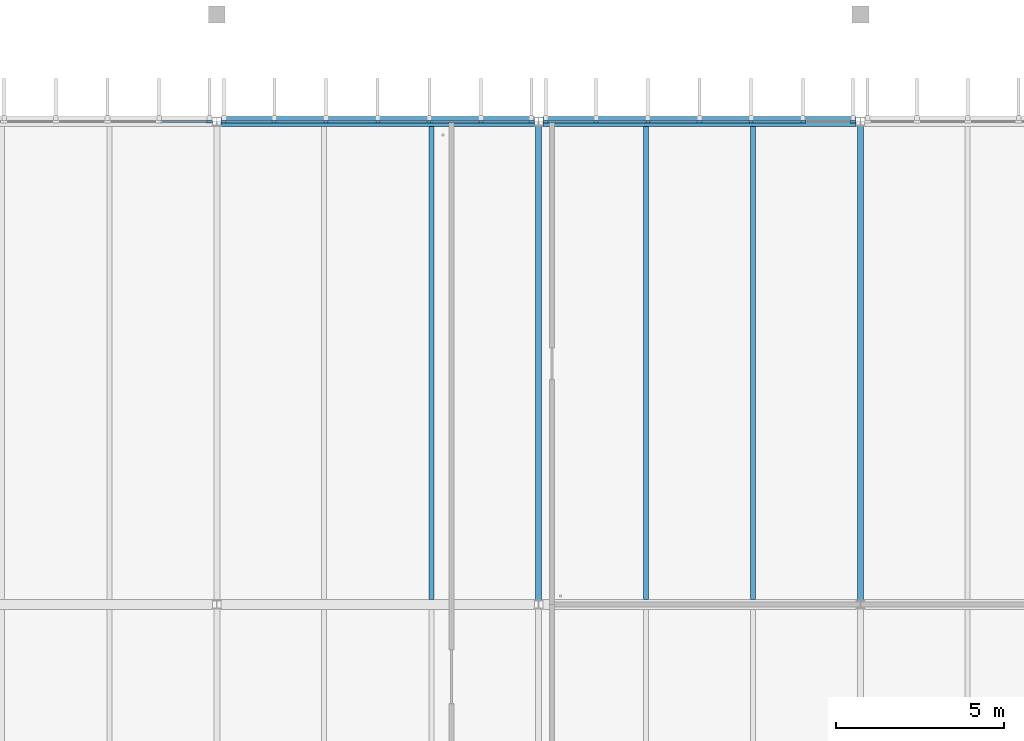
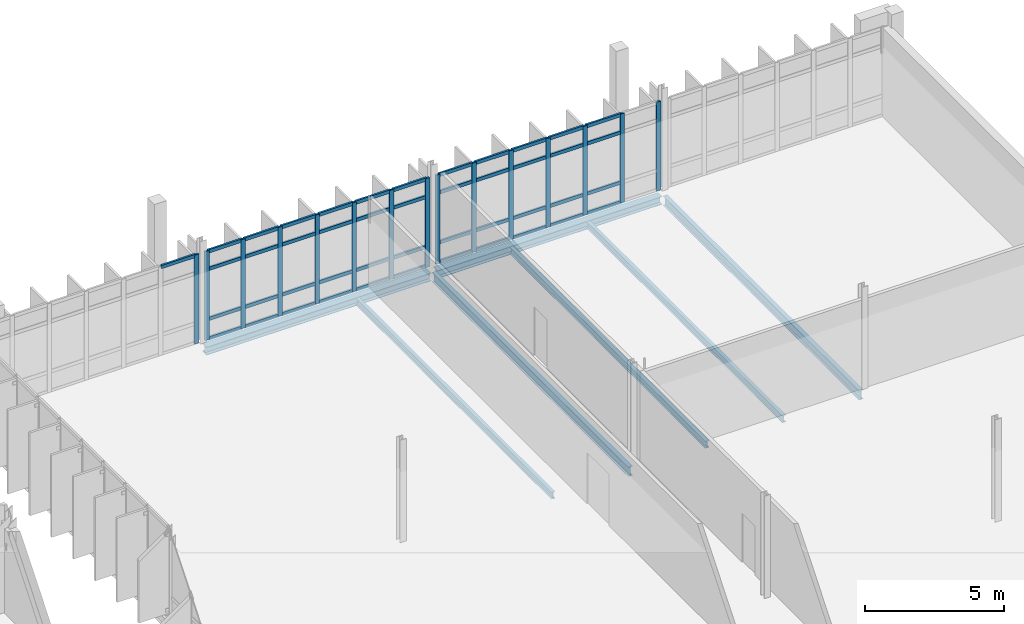
# One storey, part 44 of 107: 60 members, 7 beams, 3 elements without a shape of their own.
"""IFC4 building model written with IfcOpenShell, lengths in metres."""

from ifc_helpers import new_model, si_unit, direction, frame, origin, origin_2d, place, context, subcontext, project, spatial, rectangle, i_section, extrude, material, material_profile, profile_set, type_object, element, aggregate, save


model = new_model("IFC4")

# Units and contexts
model_context = context("Model", 3, precision=1e-05, world=origin(), true_north=direction((0.0, 1.0)))
body_context = subcontext(model_context, "Body", "Model", "MODEL_VIEW")
ifc_project = project(units=[si_unit("LENGTHUNIT", "METRE"), si_unit("AREAUNIT", "SQUARE_METRE"), si_unit("VOLUMEUNIT", "CUBIC_METRE"), si_unit("PLANEANGLEUNIT", "RADIAN"), si_unit("MASSUNIT", "GRAM", prefix="KILO")], contexts=[model_context])

# Site, building, storey
site_placement = place(None, origin())
site = spatial("IfcSite", under=ifc_project, at=site_placement, CompositionType="ELEMENT")
building_placement = place(site_placement, origin())
building = spatial("IfcBuilding", under=site, at=building_placement, Name="Dunescarp Central Library", CompositionType="ELEMENT")
storey_placement = place(building_placement, frame((0.0, 0.0, 5.10009765625)))
storey = spatial("IfcBuildingStorey", under=building, at=storey_placement, Name="L01", CompositionType="ELEMENT", Elevation=5.10009765625)

# Curtain wall, member
ifc_material_1 = material(Name="Marine-grade anodised aluminium 6063-T6", Category="aluminium")
curtain_wall_type = type_object("IfcCurtainWallType", Name="ARC-CW-STICK", PredefinedType="NOTDEFINED", material=ifc_material_1)
curtain_wall_1_placement = place(storey_placement, origin())
curtain_wall_1 = element("IfcCurtainWall", 1, at=curtain_wall_1_placement, inside=storey, type_object=curtain_wall_type, Name="L01 curtain wall CW-V5-157", PredefinedType="NOTDEFINED")
ifc_material_profile_1 = material_profile(ifc_material_1, rectangle(XDim=0.080078125, YDim=0.179931640625, at=origin_2d()), Name="AL 80x180")
ifc_profile_set_1 = profile_set([ifc_material_profile_1], Name="Marine-grade anodised aluminium 6063-T6")
member_type_1 = type_object("IfcMemberType", Name="ARC-CWM-180", PredefinedType="MULLION", material=ifc_profile_set_1)
member_1_placement = place(storey_placement, frame((138.985107421875, 44.800048828125, 0.0), z_axis=(0.0, 0.0, 1.0), x_axis=(0.0, 1.0, 0.0)))
member_1 = element("IfcMember", 2, at=member_1_placement, type_object=member_type_1, Name="CW-V5-157 mullion 7", PredefinedType="MULLION", context=body_context, shape_type="SweptSolid", body=[
    extrude(rectangle(XDim=0.080078125, YDim=0.179931640625, at=origin_2d()), origin(), (0.0, 0.0, 1.0), 3.909912109375),
])

# Curtain wall, members
curtain_wall_2_placement = place(storey_placement, origin())
curtain_wall_2 = element("IfcCurtainWall", 3, at=curtain_wall_2_placement, inside=storey, type_object=curtain_wall_type, Name="L01 curtain wall CW-V5-158", PredefinedType="NOTDEFINED")
member_2_placement = place(storey_placement, frame((139.4150390625, 44.800048828125, 0.0), z_axis=(0.0, 0.0, 1.0), x_axis=(0.0, 1.0, 0.0)))
member_2 = element("IfcMember", 4, at=member_2_placement, type_object=member_type_1, Name="CW-V5-158 mullion 1", PredefinedType="MULLION", context=body_context, shape_type="SweptSolid", body=[
    extrude(rectangle(XDim=0.080078125, YDim=0.179931640625, at=origin_2d()), origin(), (0.0, 0.0, 1.0), 3.909912109375),
])
member_3_placement = place(storey_placement, frame((140.916748046875, 44.800048828125, 0.0), z_axis=(0.0, 0.0, 1.0), x_axis=(0.0, 1.0, 0.0)))
member_3 = element("IfcMember", 5, at=member_3_placement, type_object=member_type_1, Name="CW-V5-158 mullion 2", PredefinedType="MULLION", context=body_context, shape_type="SweptSolid", body=[
    extrude(rectangle(XDim=0.080078125, YDim=0.179931640625, at=origin_2d()), origin(), (0.0, 0.0, 1.0), 3.909912109375),
])
member_4_placement = place(storey_placement, frame((142.458251953125, 44.800048828125, 0.0), z_axis=(0.0, 0.0, 1.0), x_axis=(0.0, 1.0, 0.0)))
member_4 = element("IfcMember", 6, at=member_4_placement, type_object=member_type_1, Name="CW-V5-158 mullion 3", PredefinedType="MULLION", context=body_context, shape_type="SweptSolid", body=[
    extrude(rectangle(XDim=0.080078125, YDim=0.179931640625, at=origin_2d()), origin(), (0.0, 0.0, 1.0), 3.909912109375),
])
member_5_placement = place(storey_placement, frame((144.0, 44.800048828125, 0.0), z_axis=(0.0, 0.0, 1.0), x_axis=(0.0, 1.0, 0.0)))
member_5 = element("IfcMember", 7, at=member_5_placement, type_object=member_type_1, Name="CW-V5-158 mullion 4", PredefinedType="MULLION", context=body_context, shape_type="SweptSolid", body=[
    extrude(rectangle(XDim=0.080078125, YDim=0.179931640625, at=origin_2d()), origin(), (0.0, 0.0, 1.0), 3.909912109375),
])
member_6_placement = place(storey_placement, frame((145.541748046875, 44.800048828125, 0.0), z_axis=(0.0, 0.0, 1.0), x_axis=(0.0, 1.0, 0.0)))
member_6 = element("IfcMember", 8, at=member_6_placement, type_object=member_type_1, Name="CW-V5-158 mullion 5", PredefinedType="MULLION", context=body_context, shape_type="SweptSolid", body=[
    extrude(rectangle(XDim=0.080078125, YDim=0.179931640625, at=origin_2d()), origin(), (0.0, 0.0, 1.0), 3.909912109375),
])
member_7_placement = place(storey_placement, frame((147.083251953125, 44.800048828125, 0.0), z_axis=(0.0, 0.0, 1.0), x_axis=(0.0, 1.0, 0.0)))
member_7 = element("IfcMember", 9, at=member_7_placement, type_object=member_type_1, Name="CW-V5-158 mullion 6", PredefinedType="MULLION", context=body_context, shape_type="SweptSolid", body=[
    extrude(rectangle(XDim=0.080078125, YDim=0.179931640625, at=origin_2d()), origin(), (0.0, 0.0, 1.0), 3.909912109375),
])
member_8_placement = place(storey_placement, frame((148.5849609375, 44.800048828125, 0.0), z_axis=(0.0, 0.0, 1.0), x_axis=(0.0, 1.0, 0.0)))
member_8 = element("IfcMember", 10, at=member_8_placement, type_object=member_type_1, Name="CW-V5-158 mullion 7", PredefinedType="MULLION", context=body_context, shape_type="SweptSolid", body=[
    extrude(rectangle(XDim=0.080078125, YDim=0.179931640625, at=origin_2d()), origin(), (0.0, 0.0, 1.0), 3.909912109375),
])

curtain_wall_3_placement = place(storey_placement, origin())
curtain_wall_3 = element("IfcCurtainWall", 11, at=curtain_wall_3_placement, inside=storey, type_object=curtain_wall_type, Name="L01 curtain wall CW-V5-159", PredefinedType="NOTDEFINED")
member_9_placement = place(storey_placement, frame((149.014892578125, 44.800048828125, 0.0), z_axis=(0.0, 0.0, 1.0), x_axis=(0.0, 1.0, 0.0)))
member_9 = element("IfcMember", 12, at=member_9_placement, type_object=member_type_1, Name="CW-V5-159 mullion 1", PredefinedType="MULLION", context=body_context, shape_type="SweptSolid", body=[
    extrude(rectangle(XDim=0.080078125, YDim=0.179931640625, at=origin_2d()), origin(), (0.0, 0.0, 1.0), 3.909912109375),
])
member_10_placement = place(storey_placement, frame((150.5166015625, 44.800048828125, 0.0), z_axis=(0.0, 0.0, 1.0), x_axis=(0.0, 1.0, 0.0)))
member_10 = element("IfcMember", 13, at=member_10_placement, type_object=member_type_1, Name="CW-V5-159 mullion 2", PredefinedType="MULLION", context=body_context, shape_type="SweptSolid", body=[
    extrude(rectangle(XDim=0.080078125, YDim=0.179931640625, at=origin_2d()), origin(), (0.0, 0.0, 1.0), 3.909912109375),
])
member_11_placement = place(storey_placement, frame((152.058349609375, 44.800048828125, 0.0), z_axis=(0.0, 0.0, 1.0), x_axis=(0.0, 1.0, 0.0)))
member_11 = element("IfcMember", 14, at=member_11_placement, type_object=member_type_1, Name="CW-V5-159 mullion 3", PredefinedType="MULLION", context=body_context, shape_type="SweptSolid", body=[
    extrude(rectangle(XDim=0.080078125, YDim=0.179931640625, at=origin_2d()), origin(), (0.0, 0.0, 1.0), 3.909912109375),
])
member_12_placement = place(storey_placement, frame((153.60009765625, 44.800048828125, 0.0), z_axis=(0.0, 0.0, 1.0), x_axis=(0.0, 1.0, 0.0)))
member_12 = element("IfcMember", 15, at=member_12_placement, type_object=member_type_1, Name="CW-V5-159 mullion 4", PredefinedType="MULLION", context=body_context, shape_type="SweptSolid", body=[
    extrude(rectangle(XDim=0.080078125, YDim=0.179931640625, at=origin_2d()), origin(), (0.0, 0.0, 1.0), 3.909912109375),
])
member_13_placement = place(storey_placement, frame((155.1416015625, 44.800048828125, 0.0), z_axis=(0.0, 0.0, 1.0), x_axis=(0.0, 1.0, 0.0)))
member_13 = element("IfcMember", 16, at=member_13_placement, type_object=member_type_1, Name="CW-V5-159 mullion 5", PredefinedType="MULLION", context=body_context, shape_type="SweptSolid", body=[
    extrude(rectangle(XDim=0.080078125, YDim=0.179931640625, at=origin_2d()), origin(), (0.0, 0.0, 1.0), 3.909912109375),
])
member_14_placement = place(storey_placement, frame((156.683349609375, 44.800048828125, 0.0), z_axis=(0.0, 0.0, 1.0), x_axis=(0.0, 1.0, 0.0)))
member_14 = element("IfcMember", 17, at=member_14_placement, type_object=member_type_1, Name="CW-V5-159 mullion 6", PredefinedType="MULLION", context=body_context, shape_type="SweptSolid", body=[
    extrude(rectangle(XDim=0.080078125, YDim=0.179931640625, at=origin_2d()), origin(), (0.0, 0.0, 1.0), 3.909912109375),
])
member_15_placement = place(storey_placement, frame((158.18505859375, 44.800048828125, 0.0), z_axis=(0.0, 0.0, 1.0), x_axis=(0.0, 1.0, 0.0)))
member_15 = element("IfcMember", 18, at=member_15_placement, type_object=member_type_1, Name="CW-V5-159 mullion 7", PredefinedType="MULLION", context=body_context, shape_type="SweptSolid", body=[
    extrude(rectangle(XDim=0.080078125, YDim=0.179931640625, at=origin_2d()), origin(), (0.0, 0.0, 1.0), 3.909912109375),
])

# Member
ifc_material_profile_2 = material_profile(ifc_material_1, rectangle(XDim=0.080078125, YDim=0.14990234375, at=origin_2d()), Name="AL 80x150")
ifc_profile_set_2 = profile_set([ifc_material_profile_2], Name="Marine-grade anodised aluminium 6063-T6")
member_type_2 = type_object("IfcMemberType", Name="ARC-CWT-150", PredefinedType="USERDEFINED", material=ifc_profile_set_2)
member_16_placement = place(storey_placement, frame((137.5234375, 44.800048828125, 3.869873046875), z_axis=(1.0, 0.0, 0.0), x_axis=(0.0, 1.0, 0.0)))
member_16 = element("IfcMember", 19, at=member_16_placement, type_object=member_type_2, Name="CW-V5-157 transom 6.4", ObjectType="TRANSOM", PredefinedType="USERDEFINED", context=body_context, shape_type="SweptSolid", body=[
    extrude(rectangle(XDim=0.080078125, YDim=0.14990234375, at=origin_2d()), origin(), (0.0, 0.0, 1.0), 1.421630859375),
])

aggregate(curtain_wall_1, [member_1, member_16])

member_17_placement = place(storey_placement, frame((139.455078125, 44.800048828125, 0.039794921875), z_axis=(1.0, 0.0, 0.0), x_axis=(0.0, 1.0, 0.0)))
member_17 = element("IfcMember", 20, at=member_17_placement, type_object=member_type_2, Name="CW-V5-158 transom 1.1", ObjectType="TRANSOM", PredefinedType="USERDEFINED", context=body_context, shape_type="SweptSolid", body=[
    extrude(rectangle(XDim=0.080078125, YDim=0.14990234375, at=origin_2d()), origin(), (0.0, 0.0, 1.0), 1.421630859375),
])

member_18_placement = place(storey_placement, frame((139.455078125, 44.800048828125, 0.89990234375), z_axis=(1.0, 0.0, 0.0), x_axis=(0.0, 1.0, 0.0)))
member_18 = element("IfcMember", 21, at=member_18_placement, type_object=member_type_2, Name="CW-V5-158 transom 1.2", ObjectType="TRANSOM", PredefinedType="USERDEFINED", context=body_context, shape_type="SweptSolid", body=[
    extrude(rectangle(XDim=0.080078125, YDim=0.14990234375, at=origin_2d()), origin(), (0.0, 0.0, 1.0), 1.421630859375),
])

member_19_placement = place(storey_placement, frame((139.455078125, 44.800048828125, 3.099853515625), z_axis=(1.0, 0.0, 0.0), x_axis=(0.0, 1.0, 0.0)))
member_19 = element("IfcMember", 22, at=member_19_placement, type_object=member_type_2, Name="CW-V5-158 transom 1.3", ObjectType="TRANSOM", PredefinedType="USERDEFINED", context=body_context, shape_type="SweptSolid", body=[
    extrude(rectangle(XDim=0.080078125, YDim=0.14990234375, at=origin_2d()), origin(), (0.0, 0.0, 1.0), 1.421630859375),
])

member_20_placement = place(storey_placement, frame((139.455078125, 44.800048828125, 3.869873046875), z_axis=(1.0, 0.0, 0.0), x_axis=(0.0, 1.0, 0.0)))
member_20 = element("IfcMember", 23, at=member_20_placement, type_object=member_type_2, Name="CW-V5-158 transom 1.4", ObjectType="TRANSOM", PredefinedType="USERDEFINED", context=body_context, shape_type="SweptSolid", body=[
    extrude(rectangle(XDim=0.080078125, YDim=0.14990234375, at=origin_2d()), origin(), (0.0, 0.0, 1.0), 1.421630859375),
])

member_21_placement = place(storey_placement, frame((140.956787109375, 44.800048828125, 0.039794921875), z_axis=(1.0, 0.0, 0.0), x_axis=(0.0, 1.0, 0.0)))
member_21 = element("IfcMember", 24, at=member_21_placement, type_object=member_type_2, Name="CW-V5-158 transom 2.1", ObjectType="TRANSOM", PredefinedType="USERDEFINED", context=body_context, shape_type="SweptSolid", body=[
    extrude(rectangle(XDim=0.080078125, YDim=0.14990234375, at=origin_2d()), origin(), (0.0, 0.0, 1.0), 1.46142578125),
])

member_22_placement = place(storey_placement, frame((140.956787109375, 44.800048828125, 0.89990234375), z_axis=(1.0, 0.0, 0.0), x_axis=(0.0, 1.0, 0.0)))
member_22 = element("IfcMember", 25, at=member_22_placement, type_object=member_type_2, Name="CW-V5-158 transom 2.2", ObjectType="TRANSOM", PredefinedType="USERDEFINED", context=body_context, shape_type="SweptSolid", body=[
    extrude(rectangle(XDim=0.080078125, YDim=0.14990234375, at=origin_2d()), origin(), (0.0, 0.0, 1.0), 1.46142578125),
])

member_23_placement = place(storey_placement, frame((140.956787109375, 44.800048828125, 3.099853515625), z_axis=(1.0, 0.0, 0.0), x_axis=(0.0, 1.0, 0.0)))
member_23 = element("IfcMember", 26, at=member_23_placement, type_object=member_type_2, Name="CW-V5-158 transom 2.3", ObjectType="TRANSOM", PredefinedType="USERDEFINED", context=body_context, shape_type="SweptSolid", body=[
    extrude(rectangle(XDim=0.080078125, YDim=0.14990234375, at=origin_2d()), origin(), (0.0, 0.0, 1.0), 1.46142578125),
])

member_24_placement = place(storey_placement, frame((140.956787109375, 44.800048828125, 3.869873046875), z_axis=(1.0, 0.0, 0.0), x_axis=(0.0, 1.0, 0.0)))
member_24 = element("IfcMember", 27, at=member_24_placement, type_object=member_type_2, Name="CW-V5-158 transom 2.4", ObjectType="TRANSOM", PredefinedType="USERDEFINED", context=body_context, shape_type="SweptSolid", body=[
    extrude(rectangle(XDim=0.080078125, YDim=0.14990234375, at=origin_2d()), origin(), (0.0, 0.0, 1.0), 1.46142578125),
])

member_25_placement = place(storey_placement, frame((142.498291015625, 44.800048828125, 0.039794921875), z_axis=(1.0, 0.0, 0.0), x_axis=(0.0, 1.0, 0.0)))
member_25 = element("IfcMember", 28, at=member_25_placement, type_object=member_type_2, Name="CW-V5-158 transom 3.1", ObjectType="TRANSOM", PredefinedType="USERDEFINED", context=body_context, shape_type="SweptSolid", body=[
    extrude(rectangle(XDim=0.080078125, YDim=0.14990234375, at=origin_2d()), origin(), (0.0, 0.0, 1.0), 1.461669921875),
])

member_26_placement = place(storey_placement, frame((142.498291015625, 44.800048828125, 0.89990234375), z_axis=(1.0, 0.0, 0.0), x_axis=(0.0, 1.0, 0.0)))
member_26 = element("IfcMember", 29, at=member_26_placement, type_object=member_type_2, Name="CW-V5-158 transom 3.2", ObjectType="TRANSOM", PredefinedType="USERDEFINED", context=body_context, shape_type="SweptSolid", body=[
    extrude(rectangle(XDim=0.080078125, YDim=0.14990234375, at=origin_2d()), origin(), (0.0, 0.0, 1.0), 1.461669921875),
])

member_27_placement = place(storey_placement, frame((142.498291015625, 44.800048828125, 3.099853515625), z_axis=(1.0, 0.0, 0.0), x_axis=(0.0, 1.0, 0.0)))
member_27 = element("IfcMember", 30, at=member_27_placement, type_object=member_type_2, Name="CW-V5-158 transom 3.3", ObjectType="TRANSOM", PredefinedType="USERDEFINED", context=body_context, shape_type="SweptSolid", body=[
    extrude(rectangle(XDim=0.080078125, YDim=0.14990234375, at=origin_2d()), origin(), (0.0, 0.0, 1.0), 1.461669921875),
])

member_28_placement = place(storey_placement, frame((142.498291015625, 44.800048828125, 3.869873046875), z_axis=(1.0, 0.0, 0.0), x_axis=(0.0, 1.0, 0.0)))
member_28 = element("IfcMember", 31, at=member_28_placement, type_object=member_type_2, Name="CW-V5-158 transom 3.4", ObjectType="TRANSOM", PredefinedType="USERDEFINED", context=body_context, shape_type="SweptSolid", body=[
    extrude(rectangle(XDim=0.080078125, YDim=0.14990234375, at=origin_2d()), origin(), (0.0, 0.0, 1.0), 1.461669921875),
])

member_29_placement = place(storey_placement, frame((144.0400390625, 44.800048828125, 0.039794921875), z_axis=(1.0, 0.0, 0.0), x_axis=(0.0, 1.0, 0.0)))
member_29 = element("IfcMember", 32, at=member_29_placement, type_object=member_type_2, Name="CW-V5-158 transom 4.1", ObjectType="TRANSOM", PredefinedType="USERDEFINED", context=body_context, shape_type="SweptSolid", body=[
    extrude(rectangle(XDim=0.080078125, YDim=0.14990234375, at=origin_2d()), origin(), (0.0, 0.0, 1.0), 1.461669921875),
])

member_30_placement = place(storey_placement, frame((144.0400390625, 44.800048828125, 0.89990234375), z_axis=(1.0, 0.0, 0.0), x_axis=(0.0, 1.0, 0.0)))
member_30 = element("IfcMember", 33, at=member_30_placement, type_object=member_type_2, Name="CW-V5-158 transom 4.2", ObjectType="TRANSOM", PredefinedType="USERDEFINED", context=body_context, shape_type="SweptSolid", body=[
    extrude(rectangle(XDim=0.080078125, YDim=0.14990234375, at=origin_2d()), origin(), (0.0, 0.0, 1.0), 1.461669921875),
])

member_31_placement = place(storey_placement, frame((144.0400390625, 44.800048828125, 3.099853515625), z_axis=(1.0, 0.0, 0.0), x_axis=(0.0, 1.0, 0.0)))
member_31 = element("IfcMember", 34, at=member_31_placement, type_object=member_type_2, Name="CW-V5-158 transom 4.3", ObjectType="TRANSOM", PredefinedType="USERDEFINED", context=body_context, shape_type="SweptSolid", body=[
    extrude(rectangle(XDim=0.080078125, YDim=0.14990234375, at=origin_2d()), origin(), (0.0, 0.0, 1.0), 1.461669921875),
])

member_32_placement = place(storey_placement, frame((144.0400390625, 44.800048828125, 3.869873046875), z_axis=(1.0, 0.0, 0.0), x_axis=(0.0, 1.0, 0.0)))
member_32 = element("IfcMember", 35, at=member_32_placement, type_object=member_type_2, Name="CW-V5-158 transom 4.4", ObjectType="TRANSOM", PredefinedType="USERDEFINED", context=body_context, shape_type="SweptSolid", body=[
    extrude(rectangle(XDim=0.080078125, YDim=0.14990234375, at=origin_2d()), origin(), (0.0, 0.0, 1.0), 1.461669921875),
])

member_33_placement = place(storey_placement, frame((145.581787109375, 44.800048828125, 0.039794921875), z_axis=(1.0, 0.0, 0.0), x_axis=(0.0, 1.0, 0.0)))
member_33 = element("IfcMember", 36, at=member_33_placement, type_object=member_type_2, Name="CW-V5-158 transom 5.1", ObjectType="TRANSOM", PredefinedType="USERDEFINED", context=body_context, shape_type="SweptSolid", body=[
    extrude(rectangle(XDim=0.080078125, YDim=0.14990234375, at=origin_2d()), origin(), (0.0, 0.0, 1.0), 1.46142578125),
])

member_34_placement = place(storey_placement, frame((145.581787109375, 44.800048828125, 0.89990234375), z_axis=(1.0, 0.0, 0.0), x_axis=(0.0, 1.0, 0.0)))
member_34 = element("IfcMember", 37, at=member_34_placement, type_object=member_type_2, Name="CW-V5-158 transom 5.2", ObjectType="TRANSOM", PredefinedType="USERDEFINED", context=body_context, shape_type="SweptSolid", body=[
    extrude(rectangle(XDim=0.080078125, YDim=0.14990234375, at=origin_2d()), origin(), (0.0, 0.0, 1.0), 1.46142578125),
])

member_35_placement = place(storey_placement, frame((145.581787109375, 44.800048828125, 3.099853515625), z_axis=(1.0, 0.0, 0.0), x_axis=(0.0, 1.0, 0.0)))
member_35 = element("IfcMember", 38, at=member_35_placement, type_object=member_type_2, Name="CW-V5-158 transom 5.3", ObjectType="TRANSOM", PredefinedType="USERDEFINED", context=body_context, shape_type="SweptSolid", body=[
    extrude(rectangle(XDim=0.080078125, YDim=0.14990234375, at=origin_2d()), origin(), (0.0, 0.0, 1.0), 1.46142578125),
])

member_36_placement = place(storey_placement, frame((145.581787109375, 44.800048828125, 3.869873046875), z_axis=(1.0, 0.0, 0.0), x_axis=(0.0, 1.0, 0.0)))
member_36 = element("IfcMember", 39, at=member_36_placement, type_object=member_type_2, Name="CW-V5-158 transom 5.4", ObjectType="TRANSOM", PredefinedType="USERDEFINED", context=body_context, shape_type="SweptSolid", body=[
    extrude(rectangle(XDim=0.080078125, YDim=0.14990234375, at=origin_2d()), origin(), (0.0, 0.0, 1.0), 1.46142578125),
])

member_37_placement = place(storey_placement, frame((147.123291015625, 44.800048828125, 0.039794921875), z_axis=(1.0, 0.0, 0.0), x_axis=(0.0, 1.0, 0.0)))
member_37 = element("IfcMember", 40, at=member_37_placement, type_object=member_type_2, Name="CW-V5-158 transom 6.1", ObjectType="TRANSOM", PredefinedType="USERDEFINED", context=body_context, shape_type="SweptSolid", body=[
    extrude(rectangle(XDim=0.080078125, YDim=0.14990234375, at=origin_2d()), origin(), (0.0, 0.0, 1.0), 1.421630859375),
])

member_38_placement = place(storey_placement, frame((147.123291015625, 44.800048828125, 0.89990234375), z_axis=(1.0, 0.0, 0.0), x_axis=(0.0, 1.0, 0.0)))
member_38 = element("IfcMember", 41, at=member_38_placement, type_object=member_type_2, Name="CW-V5-158 transom 6.2", ObjectType="TRANSOM", PredefinedType="USERDEFINED", context=body_context, shape_type="SweptSolid", body=[
    extrude(rectangle(XDim=0.080078125, YDim=0.14990234375, at=origin_2d()), origin(), (0.0, 0.0, 1.0), 1.421630859375),
])

member_39_placement = place(storey_placement, frame((147.123291015625, 44.800048828125, 3.099853515625), z_axis=(1.0, 0.0, 0.0), x_axis=(0.0, 1.0, 0.0)))
member_39 = element("IfcMember", 42, at=member_39_placement, type_object=member_type_2, Name="CW-V5-158 transom 6.3", ObjectType="TRANSOM", PredefinedType="USERDEFINED", context=body_context, shape_type="SweptSolid", body=[
    extrude(rectangle(XDim=0.080078125, YDim=0.14990234375, at=origin_2d()), origin(), (0.0, 0.0, 1.0), 1.421630859375),
])

member_40_placement = place(storey_placement, frame((147.123291015625, 44.800048828125, 3.869873046875), z_axis=(1.0, 0.0, 0.0), x_axis=(0.0, 1.0, 0.0)))
member_40 = element("IfcMember", 43, at=member_40_placement, type_object=member_type_2, Name="CW-V5-158 transom 6.4", ObjectType="TRANSOM", PredefinedType="USERDEFINED", context=body_context, shape_type="SweptSolid", body=[
    extrude(rectangle(XDim=0.080078125, YDim=0.14990234375, at=origin_2d()), origin(), (0.0, 0.0, 1.0), 1.421630859375),
])

aggregate(curtain_wall_2, [member_2, member_3, member_4, member_5, member_6, member_7, member_8, member_17, member_18, member_19, member_20, member_21, member_22, member_23, member_24, member_25, member_26, member_27, member_28, member_29, member_30, member_31, member_32, member_33, member_34, member_35, member_36, member_37, member_38, member_39, member_40])

member_41_placement = place(storey_placement, frame((149.054931640625, 44.800048828125, 0.039794921875), z_axis=(1.0, 0.0, 0.0), x_axis=(0.0, 1.0, 0.0)))
member_41 = element("IfcMember", 44, at=member_41_placement, type_object=member_type_2, Name="CW-V5-159 transom 1.1", ObjectType="TRANSOM", PredefinedType="USERDEFINED", context=body_context, shape_type="SweptSolid", body=[
    extrude(rectangle(XDim=0.080078125, YDim=0.14990234375, at=origin_2d()), origin(), (0.0, 0.0, 1.0), 1.421630859375),
])

member_42_placement = place(storey_placement, frame((149.054931640625, 44.800048828125, 0.89990234375), z_axis=(1.0, 0.0, 0.0), x_axis=(0.0, 1.0, 0.0)))
member_42 = element("IfcMember", 45, at=member_42_placement, type_object=member_type_2, Name="CW-V5-159 transom 1.2", ObjectType="TRANSOM", PredefinedType="USERDEFINED", context=body_context, shape_type="SweptSolid", body=[
    extrude(rectangle(XDim=0.080078125, YDim=0.14990234375, at=origin_2d()), origin(), (0.0, 0.0, 1.0), 1.421630859375),
])

member_43_placement = place(storey_placement, frame((149.054931640625, 44.800048828125, 3.099853515625), z_axis=(1.0, 0.0, 0.0), x_axis=(0.0, 1.0, 0.0)))
member_43 = element("IfcMember", 46, at=member_43_placement, type_object=member_type_2, Name="CW-V5-159 transom 1.3", ObjectType="TRANSOM", PredefinedType="USERDEFINED", context=body_context, shape_type="SweptSolid", body=[
    extrude(rectangle(XDim=0.080078125, YDim=0.14990234375, at=origin_2d()), origin(), (0.0, 0.0, 1.0), 1.421630859375),
])

member_44_placement = place(storey_placement, frame((149.054931640625, 44.800048828125, 3.869873046875), z_axis=(1.0, 0.0, 0.0), x_axis=(0.0, 1.0, 0.0)))
member_44 = element("IfcMember", 47, at=member_44_placement, type_object=member_type_2, Name="CW-V5-159 transom 1.4", ObjectType="TRANSOM", PredefinedType="USERDEFINED", context=body_context, shape_type="SweptSolid", body=[
    extrude(rectangle(XDim=0.080078125, YDim=0.14990234375, at=origin_2d()), origin(), (0.0, 0.0, 1.0), 1.421630859375),
])

member_45_placement = place(storey_placement, frame((150.556640625, 44.800048828125, 0.039794921875), z_axis=(1.0, 0.0, 0.0), x_axis=(0.0, 1.0, 0.0)))
member_45 = element("IfcMember", 48, at=member_45_placement, type_object=member_type_2, Name="CW-V5-159 transom 2.1", ObjectType="TRANSOM", PredefinedType="USERDEFINED", context=body_context, shape_type="SweptSolid", body=[
    extrude(rectangle(XDim=0.080078125, YDim=0.14990234375, at=origin_2d()), origin(), (0.0, 0.0, 1.0), 1.461669921875),
])

member_46_placement = place(storey_placement, frame((150.556640625, 44.800048828125, 0.89990234375), z_axis=(1.0, 0.0, 0.0), x_axis=(0.0, 1.0, 0.0)))
member_46 = element("IfcMember", 49, at=member_46_placement, type_object=member_type_2, Name="CW-V5-159 transom 2.2", ObjectType="TRANSOM", PredefinedType="USERDEFINED", context=body_context, shape_type="SweptSolid", body=[
    extrude(rectangle(XDim=0.080078125, YDim=0.14990234375, at=origin_2d()), origin(), (0.0, 0.0, 1.0), 1.461669921875),
])

member_47_placement = place(storey_placement, frame((150.556640625, 44.800048828125, 3.099853515625), z_axis=(1.0, 0.0, 0.0), x_axis=(0.0, 1.0, 0.0)))
member_47 = element("IfcMember", 50, at=member_47_placement, type_object=member_type_2, Name="CW-V5-159 transom 2.3", ObjectType="TRANSOM", PredefinedType="USERDEFINED", context=body_context, shape_type="SweptSolid", body=[
    extrude(rectangle(XDim=0.080078125, YDim=0.14990234375, at=origin_2d()), origin(), (0.0, 0.0, 1.0), 1.461669921875),
])

member_48_placement = place(storey_placement, frame((150.556640625, 44.800048828125, 3.869873046875), z_axis=(1.0, 0.0, 0.0), x_axis=(0.0, 1.0, 0.0)))
member_48 = element("IfcMember", 51, at=member_48_placement, type_object=member_type_2, Name="CW-V5-159 transom 2.4", ObjectType="TRANSOM", PredefinedType="USERDEFINED", context=body_context, shape_type="SweptSolid", body=[
    extrude(rectangle(XDim=0.080078125, YDim=0.14990234375, at=origin_2d()), origin(), (0.0, 0.0, 1.0), 1.461669921875),
])

member_49_placement = place(storey_placement, frame((152.098388671875, 44.800048828125, 0.039794921875), z_axis=(1.0, 0.0, 0.0), x_axis=(0.0, 1.0, 0.0)))
member_49 = element("IfcMember", 52, at=member_49_placement, type_object=member_type_2, Name="CW-V5-159 transom 3.1", ObjectType="TRANSOM", PredefinedType="USERDEFINED", context=body_context, shape_type="SweptSolid", body=[
    extrude(rectangle(XDim=0.080078125, YDim=0.14990234375, at=origin_2d()), origin(), (0.0, 0.0, 1.0), 1.461669921875),
])

member_50_placement = place(storey_placement, frame((152.098388671875, 44.800048828125, 0.89990234375), z_axis=(1.0, 0.0, 0.0), x_axis=(0.0, 1.0, 0.0)))
member_50 = element("IfcMember", 53, at=member_50_placement, type_object=member_type_2, Name="CW-V5-159 transom 3.2", ObjectType="TRANSOM", PredefinedType="USERDEFINED", context=body_context, shape_type="SweptSolid", body=[
    extrude(rectangle(XDim=0.080078125, YDim=0.14990234375, at=origin_2d()), origin(), (0.0, 0.0, 1.0), 1.461669921875),
])

member_51_placement = place(storey_placement, frame((152.098388671875, 44.800048828125, 3.099853515625), z_axis=(1.0, 0.0, 0.0), x_axis=(0.0, 1.0, 0.0)))
member_51 = element("IfcMember", 54, at=member_51_placement, type_object=member_type_2, Name="CW-V5-159 transom 3.3", ObjectType="TRANSOM", PredefinedType="USERDEFINED", context=body_context, shape_type="SweptSolid", body=[
    extrude(rectangle(XDim=0.080078125, YDim=0.14990234375, at=origin_2d()), origin(), (0.0, 0.0, 1.0), 1.461669921875),
])

member_52_placement = place(storey_placement, frame((152.098388671875, 44.800048828125, 3.869873046875), z_axis=(1.0, 0.0, 0.0), x_axis=(0.0, 1.0, 0.0)))
member_52 = element("IfcMember", 55, at=member_52_placement, type_object=member_type_2, Name="CW-V5-159 transom 3.4", ObjectType="TRANSOM", PredefinedType="USERDEFINED", context=body_context, shape_type="SweptSolid", body=[
    extrude(rectangle(XDim=0.080078125, YDim=0.14990234375, at=origin_2d()), origin(), (0.0, 0.0, 1.0), 1.461669921875),
])

member_53_placement = place(storey_placement, frame((153.639892578125, 44.800048828125, 0.039794921875), z_axis=(1.0, 0.0, 0.0), x_axis=(0.0, 1.0, 0.0)))
member_53 = element("IfcMember", 56, at=member_53_placement, type_object=member_type_2, Name="CW-V5-159 transom 4.1", ObjectType="TRANSOM", PredefinedType="USERDEFINED", context=body_context, shape_type="SweptSolid", body=[
    extrude(rectangle(XDim=0.080078125, YDim=0.14990234375, at=origin_2d()), origin(), (0.0, 0.0, 1.0), 1.461669921875),
])

member_54_placement = place(storey_placement, frame((153.639892578125, 44.800048828125, 0.89990234375), z_axis=(1.0, 0.0, 0.0), x_axis=(0.0, 1.0, 0.0)))
member_54 = element("IfcMember", 57, at=member_54_placement, type_object=member_type_2, Name="CW-V5-159 transom 4.2", ObjectType="TRANSOM", PredefinedType="USERDEFINED", context=body_context, shape_type="SweptSolid", body=[
    extrude(rectangle(XDim=0.080078125, YDim=0.14990234375, at=origin_2d()), origin(), (0.0, 0.0, 1.0), 1.461669921875),
])

member_55_placement = place(storey_placement, frame((153.639892578125, 44.800048828125, 3.099853515625), z_axis=(1.0, 0.0, 0.0), x_axis=(0.0, 1.0, 0.0)))
member_55 = element("IfcMember", 58, at=member_55_placement, type_object=member_type_2, Name="CW-V5-159 transom 4.3", ObjectType="TRANSOM", PredefinedType="USERDEFINED", context=body_context, shape_type="SweptSolid", body=[
    extrude(rectangle(XDim=0.080078125, YDim=0.14990234375, at=origin_2d()), origin(), (0.0, 0.0, 1.0), 1.461669921875),
])

member_56_placement = place(storey_placement, frame((153.639892578125, 44.800048828125, 3.869873046875), z_axis=(1.0, 0.0, 0.0), x_axis=(0.0, 1.0, 0.0)))
member_56 = element("IfcMember", 59, at=member_56_placement, type_object=member_type_2, Name="CW-V5-159 transom 4.4", ObjectType="TRANSOM", PredefinedType="USERDEFINED", context=body_context, shape_type="SweptSolid", body=[
    extrude(rectangle(XDim=0.080078125, YDim=0.14990234375, at=origin_2d()), origin(), (0.0, 0.0, 1.0), 1.461669921875),
])

member_57_placement = place(storey_placement, frame((155.181640625, 44.800048828125, 0.039794921875), z_axis=(1.0, 0.0, 0.0), x_axis=(0.0, 1.0, 0.0)))
member_57 = element("IfcMember", 60, at=member_57_placement, type_object=member_type_2, Name="CW-V5-159 transom 5.1", ObjectType="TRANSOM", PredefinedType="USERDEFINED", context=body_context, shape_type="SweptSolid", body=[
    extrude(rectangle(XDim=0.080078125, YDim=0.14990234375, at=origin_2d()), origin(), (0.0, 0.0, 1.0), 1.461669921875),
])

member_58_placement = place(storey_placement, frame((155.181640625, 44.800048828125, 0.89990234375), z_axis=(1.0, 0.0, 0.0), x_axis=(0.0, 1.0, 0.0)))
member_58 = element("IfcMember", 61, at=member_58_placement, type_object=member_type_2, Name="CW-V5-159 transom 5.2", ObjectType="TRANSOM", PredefinedType="USERDEFINED", context=body_context, shape_type="SweptSolid", body=[
    extrude(rectangle(XDim=0.080078125, YDim=0.14990234375, at=origin_2d()), origin(), (0.0, 0.0, 1.0), 1.461669921875),
])

member_59_placement = place(storey_placement, frame((155.181640625, 44.800048828125, 3.099853515625), z_axis=(1.0, 0.0, 0.0), x_axis=(0.0, 1.0, 0.0)))
member_59 = element("IfcMember", 62, at=member_59_placement, type_object=member_type_2, Name="CW-V5-159 transom 5.3", ObjectType="TRANSOM", PredefinedType="USERDEFINED", context=body_context, shape_type="SweptSolid", body=[
    extrude(rectangle(XDim=0.080078125, YDim=0.14990234375, at=origin_2d()), origin(), (0.0, 0.0, 1.0), 1.461669921875),
])

member_60_placement = place(storey_placement, frame((155.181640625, 44.800048828125, 3.869873046875), z_axis=(1.0, 0.0, 0.0), x_axis=(0.0, 1.0, 0.0)))
member_60 = element("IfcMember", 63, at=member_60_placement, type_object=member_type_2, Name="CW-V5-159 transom 5.4", ObjectType="TRANSOM", PredefinedType="USERDEFINED", context=body_context, shape_type="SweptSolid", body=[
    extrude(rectangle(XDim=0.080078125, YDim=0.14990234375, at=origin_2d()), origin(), (0.0, 0.0, 1.0), 1.461669921875),
])

aggregate(curtain_wall_3, [member_9, member_10, member_11, member_12, member_13, member_14, member_15, member_41, member_42, member_43, member_44, member_45, member_46, member_47, member_48, member_49, member_50, member_51, member_52, member_53, member_54, member_55, member_56, member_57, member_58, member_59, member_60])

# Beams
ifc_material_2 = material(Name="Steel S355JR", Category="steel")
ifc_material_profile_3 = material_profile(ifc_material_2, i_section(OverallWidth=0.300048828125, OverallDepth=0.35009765625, WebThickness=0.010009765625, FlangeThickness=0.017578125, at=origin_2d()), Name="HEA 360")
ifc_profile_set_3 = profile_set([ifc_material_profile_3], Name="Steel S355JR")
beam_type_1 = type_object("IfcBeamType", Name="STR-BM-IPE400", PredefinedType="BEAM", material=ifc_profile_set_3)
beam_1_placement = place(storey_placement, frame((139.327880859375, 44.800048828125, -0.39501953125), z_axis=(1.0, 0.0, 0.0), x_axis=(0.0, 1.0, 0.0)))
element("IfcBeam", 64, at=beam_1_placement, inside=storey, type_object=beam_type_1, Name="L01 girder BM-L01-1105", PredefinedType="BEAM", context=body_context, shape_type="SweptSolid", body=[
    extrude(i_section(OverallWidth=0.300048828125, OverallDepth=0.35009765625, WebThickness=0.010009765625, FlangeThickness=0.017578125, at=origin_2d()), origin(), (0.0, 0.0, 1.0), 9.34423828125),
])
beam_2_placement = place(storey_placement, frame((148.927978515625, 44.800048828125, -0.39501953125), z_axis=(1.0, 0.0, 0.0), x_axis=(0.0, 1.0, 0.0)))
element("IfcBeam", 65, at=beam_2_placement, inside=storey, type_object=beam_type_1, Name="L01 girder BM-L01-1122", PredefinedType="BEAM", context=body_context, shape_type="SweptSolid", body=[
    extrude(i_section(OverallWidth=0.300048828125, OverallDepth=0.35009765625, WebThickness=0.010009765625, FlangeThickness=0.017578125, at=origin_2d()), origin(), (0.0, 0.0, 1.0), 9.343994140625),
])
ifc_material_profile_4 = material_profile(ifc_material_2, i_section(OverallWidth=0.179443359375, OverallDepth=0.412841796875, WebThickness=0.009521484375, FlangeThickness=0.01611328125, at=origin_2d()), Name="UB 406x178x74")
ifc_profile_set_4 = profile_set([ifc_material_profile_4], Name="Steel S355JR")
beam_type_2 = type_object("IfcBeamType", Name="STR-BM-UB406", PredefinedType="BEAM", material=ifc_profile_set_4)
for number, where, z_axis, x_axis, name in (
    (66, (148.800048828125, 30.534912109375, -0.426025390625), (0.0, 1.0, 0.0), (-1.0, 0.0, 0.0), "L01 girder BM-L01-1106"),
    (67, (158.39990234375, 30.534912109375, -0.426025390625), (0.0, 1.0, 0.0), (-1.0, 0.0, 0.0), "L01 girder BM-L01-1123"),
):
    element("IfcBeam", number, at=place(storey_placement, frame(where, z_axis=z_axis, x_axis=x_axis)), inside=storey, type_object=beam_type_2, Name=name, PredefinedType="BEAM", context=body_context, shape_type="SweptSolid", body=[
        extrude(i_section(OverallWidth=0.179443359375, OverallDepth=0.412841796875, WebThickness=0.009521484375, FlangeThickness=0.01611328125, at=origin_2d()), origin(), (0.0, 0.0, 1.0), 14.130126953125),
    ])
ifc_material_profile_5 = material_profile(ifc_material_2, i_section(OverallWidth=0.14990234375, OverallDepth=0.300048828125, WebThickness=0.007080078125, FlangeThickness=0.0107421875, at=origin_2d()), Name="IPE 300")
ifc_profile_set_5 = profile_set([ifc_material_profile_5], Name="Steel S355JR")
beam_type_3 = type_object("IfcBeamType", Name="STR-JS-IPE300", PredefinedType="JOIST", material=ifc_profile_set_5)
for number, where, z_axis, x_axis, name in (
    (68, (145.60009765625, 30.548095703125, -0.3701171875), (0.0, 1.0, 0.0), (-1.0, 0.0, 0.0), "L01 joist JS-L01-1108"),
    (69, (152.0, 30.548095703125, -0.3701171875), (0.0, 1.0, 0.0), (-1.0, 0.0, 0.0), "L01 joist JS-L01-1124"),
    (70, (155.199951171875, 30.548095703125, -0.3701171875), (0.0, 1.0, 0.0), (-1.0, 0.0, 0.0), "L01 joist JS-L01-1125"),
):
    element("IfcBeam", number, at=place(storey_placement, frame(where, z_axis=z_axis, x_axis=x_axis)), inside=storey, type_object=beam_type_3, Name=name, PredefinedType="JOIST", context=body_context, shape_type="SweptSolid", body=[
        extrude(i_section(OverallWidth=0.14990234375, OverallDepth=0.300048828125, WebThickness=0.007080078125, FlangeThickness=0.0107421875, at=origin_2d()), origin(), (0.0, 0.0, 1.0), 14.10400390625),
    ])

save(model, "model.ifc")
